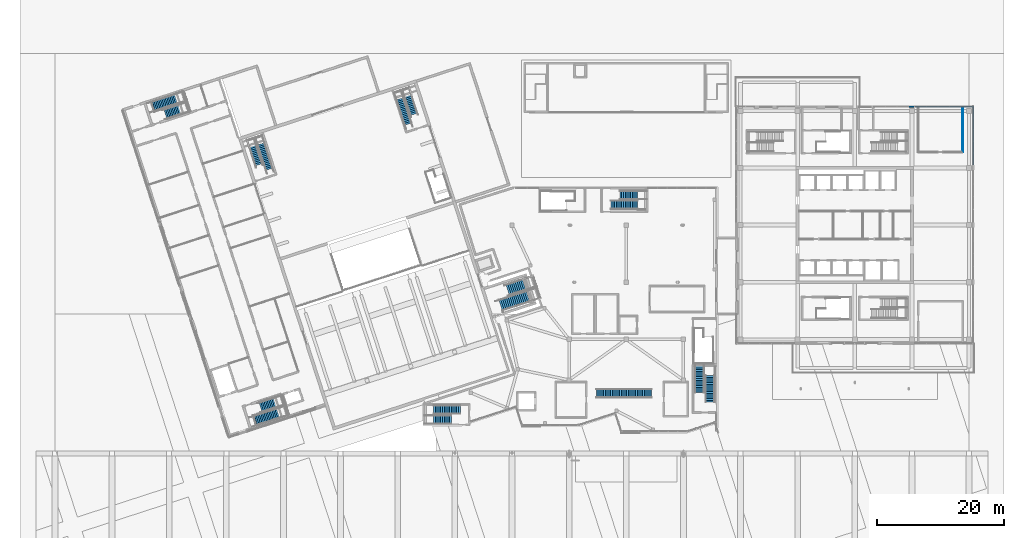
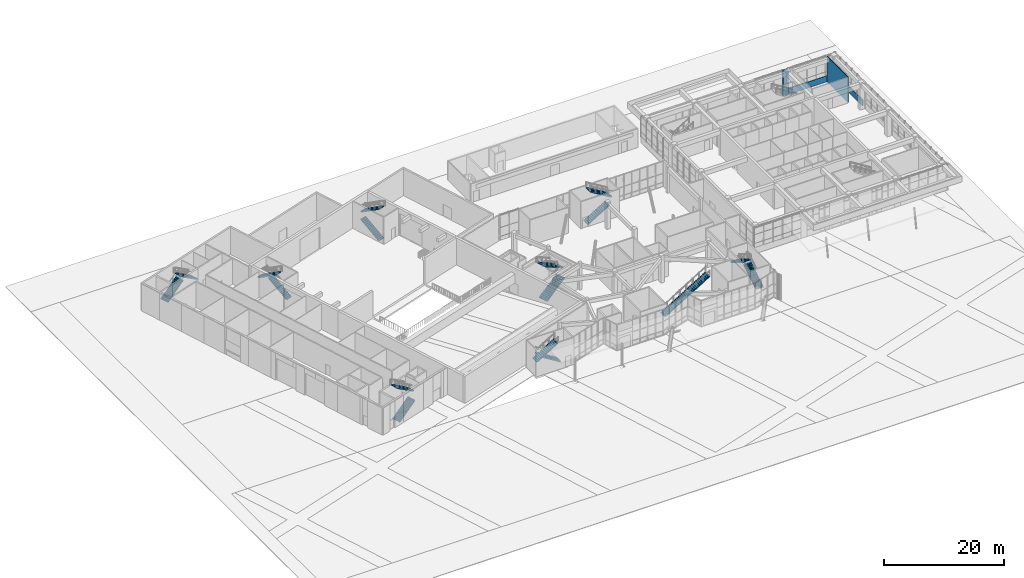
# One storey, part 59 of 72: 17 stair flights, 4 walls, 9 elements without a shape of their own.
"""IFC4 building model written with IfcOpenShell, lengths in metres."""

from ifc_helpers import new_model, si_unit, direction, frame, frame_2d, origin, place, context, subcontext, project, spatial, polyline, rectangle, outline, extrude, material, layer, layer_set, type_object, element, aggregate, save


model = new_model("IFC4")

# Units and contexts
model_context = context("Model", 3, precision=1e-05, world=origin(), true_north=direction((0.0, 1.0)))
body_context = subcontext(model_context, "Body", "Model", "MODEL_VIEW")
ifc_project = project(units=[si_unit("LENGTHUNIT", "METRE"), si_unit("AREAUNIT", "SQUARE_METRE"), si_unit("VOLUMEUNIT", "CUBIC_METRE"), si_unit("PLANEANGLEUNIT", "RADIAN"), si_unit("MASSUNIT", "GRAM", prefix="KILO")], contexts=[model_context])

# Site, building, storey
site_placement = place(None, origin())
site = spatial("IfcSite", under=ifc_project, at=site_placement, CompositionType="ELEMENT")
building_placement = place(site_placement, origin())
building = spatial("IfcBuilding", under=site, at=building_placement, Name="Tuart Plaza Theatre", CompositionType="ELEMENT")
storey_placement = place(building_placement, origin())
storey = spatial("IfcBuildingStorey", under=building, at=storey_placement, Name="L00", CompositionType="ELEMENT", Elevation=0.0)

# Walls
ifc_material_1 = material(Name="Plasterboard on steel stud", Category="steel")
ifc_layer_1 = layer(ifc_material_1, 0.14990234375)
ifc_layer_set_1 = layer_set([ifc_layer_1], Name="PARTITION STD150")
wall_type_1 = type_object("IfcWallType", Name="PARTITION STD150", PredefinedType="PARTITIONING", material=ifc_layer_set_1)
wall_1_placement = place(storey_placement, frame((149.0, 85.5, 0.0), z_axis=(0.0, 0.0, 1.0), x_axis=(0.0, 1.0, 0.0)))
element("IfcWall", 1, at=wall_1_placement, inside=storey, type_object=wall_type_1, Name="P581", PredefinedType="PARTITIONING", context=body_context, shape_type="SweptSolid", body=[
    extrude(rectangle(XDim=7.050048828125, YDim=0.14990234375, at=frame_2d((3.52490234375, 0.0))), origin(), (0.0, 0.0, 1.0), 5.25),
])
ifc_material_2 = material(Name="Steel panel", Category="steel")
ifc_layer_2 = layer(ifc_material_2, 0.199951171875)
ifc_layer_set_2 = layer_set([ifc_layer_2], Name="WALL CLD200 STEELPAN EXT base panel")
wall_type_2 = type_object("IfcWallType", Name="WALL CLD200 STEELPAN EXT base panel", PredefinedType="SOLIDWALL", material=ifc_layer_set_2)
wall_2_placement = place(storey_placement, frame((150.64990234375, 83.5, 0.0), z_axis=(0.0, 0.0, 1.0), x_axis=(0.0, 1.0, 0.0)))
element("IfcWall", 2, at=wall_2_placement, inside=storey, type_object=wall_type_2, Name="P99", PredefinedType="SOLIDWALL", context=body_context, shape_type="SweptSolid", body=[
    extrude(rectangle(XDim=9.25, YDim=0.199951171875, at=frame_2d((4.625, 0.0))), origin(), (0.0, 0.0, 1.0), 1.199951171875),
])
wall_3_placement = place(storey_placement, frame((150.550048828125, 92.64990234375, 0.0), z_axis=(0.0, 0.0, 1.0), x_axis=(-1.0, 0.0, 0.0)))
element("IfcWall", 3, at=wall_3_placement, inside=storey, type_object=wall_type_2, Name="P100", PredefinedType="SOLIDWALL", context=body_context, shape_type="SweptSolid", body=[
    extrude(rectangle(XDim=9.050048828125, YDim=0.199951171875, at=frame_2d((4.52490234375, 0.0))), origin(), (0.0, 0.0, 1.0), 1.199951171875),
])
wall_4_placement = place(storey_placement, frame((141.550048828125, 92.64990234375, 0.0), z_axis=(0.0, 0.0, 1.0), x_axis=(-1.0, 0.0, 0.0)))
element("IfcWall", 4, at=wall_4_placement, inside=storey, type_object=wall_type_2, Name="P101", PredefinedType="SOLIDWALL", context=body_context, shape_type="SweptSolid", body=[
    extrude(rectangle(XDim=1.10009765625, YDim=0.199951171875, at=frame_2d((0.550048828125, 0.0))), origin(), (0.0, 0.0, 1.0), 5.25),
])

# Stair, stair flights
ifc_material_3 = material(Name="Concrete N40 (40 MPa)", Category="concrete")
stair_type_1 = type_object("IfcStairType", Name="STAIR half turn 1600", PredefinedType="HALF_TURN_STAIR", material=ifc_material_3)
stair_1_placement = place(storey_placement, origin())
stair_1 = element("IfcStair", 5, at=stair_1_placement, inside=storey, type_object=stair_type_1, Name="SA-1", PredefinedType="HALF_TURN_STAIR")
ifc_material_4 = material(Name="Concrete N40 (40 MPa)", Category="concrete")
stair_flight_type_1 = type_object("IfcStairFlightType", Name="STAIR FLIGHT 171.9 260 1600", PredefinedType="STRAIGHT", material=ifc_material_4)
stair_flight_1_placement = place(storey_placement, frame((37.430419921875, 43.14697265625, 0.0), z_axis=(0.0, 0.0, 1.0), x_axis=(0.951056516295, 0.309016994375, 0.0)))
stair_flight_1 = element("IfcStairFlight", 6, at=stair_flight_1_placement, type_object=stair_flight_type_1, Name="SA-1 flight 1", NumberOfRisers=16, NumberOfTreads=15, PredefinedType="STRAIGHT", RiserHeight=0.171875, TreadLength=0.26, context=body_context, shape_type="SweptSolid", body=[
    extrude(outline(polyline([(0.0, 0.0), (0.0, 0.171875), (0.260009765625, 0.171875), (0.260009765625, 0.34375), (0.52001953125, 0.34375), (0.52001953125, 0.515625), (0.780029296875, 0.515625), (0.780029296875, 0.6875), (1.0400390625, 0.6875), (1.0400390625, 0.859375), (1.300048828125, 0.859375), (1.300048828125, 1.03125), (1.56005859375, 1.03125), (1.56005859375, 1.203125), (1.820068359375, 1.203125), (1.820068359375, 1.375), (2.080078125, 1.375), (2.080078125, 1.546875), (2.340087890625, 1.546875), (2.340087890625, 1.71875), (2.60009765625, 1.71875), (2.60009765625, 1.890625), (2.860107421875, 1.890625), (2.860107421875, 2.0625), (3.1201171875, 2.0625), (3.1201171875, 2.234375), (3.3798828125, 2.234375), (3.3798828125, 2.40625), (3.639892578125, 2.40625), (3.639892578125, 2.578125), (3.89990234375, 2.578125), (3.89990234375, 2.75), (3.89990234375, 2.3984375), (0.271728515625, 0.0), (0.0, 0.0)])), frame((0.0, 0.800048828125, 0.0), z_axis=(0.0, -1.0, 0.0), x_axis=(1.0, 0.0, 0.0)), (0.0, 0.0, 1.0), 1.60009765625),
])
stair_flight_2_placement = place(storey_placement, frame((42.120361328125, 46.5107421875, 2.75), z_axis=(0.0, 0.0, 1.0), x_axis=(-0.951056516295, -0.309016994375, 0.0)))
stair_flight_2 = element("IfcStairFlight", 7, at=stair_flight_2_placement, type_object=stair_flight_type_1, Name="SA-1 flight 2", NumberOfRisers=16, NumberOfTreads=15, PredefinedType="STRAIGHT", RiserHeight=0.171875, TreadLength=0.26, context=body_context, shape_type="SweptSolid", body=[
    extrude(outline(polyline([(0.0, 0.0), (0.0, 0.171875), (0.260009765625, 0.171875), (0.260009765625, 0.34375), (0.52001953125, 0.34375), (0.52001953125, 0.515625), (0.780029296875, 0.515625), (0.780029296875, 0.6875), (1.0400390625, 0.6875), (1.0400390625, 0.859375), (1.300048828125, 0.859375), (1.300048828125, 1.03125), (1.56005859375, 1.03125), (1.56005859375, 1.203125), (1.820068359375, 1.203125), (1.820068359375, 1.375), (2.080078125, 1.375), (2.080078125, 1.546875), (2.340087890625, 1.546875), (2.340087890625, 1.71875), (2.60009765625, 1.71875), (2.60009765625, 1.890625), (2.860107421875, 1.890625), (2.860107421875, 2.0625), (3.1201171875, 2.0625), (3.1201171875, 2.234375), (3.3798828125, 2.234375), (3.3798828125, 2.40625), (3.639892578125, 2.40625), (3.639892578125, 2.578125), (3.89990234375, 2.578125), (3.89990234375, 2.75), (3.89990234375, 2.3984375), (0.271728515625, 0.0), (0.0, 0.0)])), frame((0.0, 0.800048828125, 0.0), z_axis=(0.0, -1.0, 0.0), x_axis=(1.0, 0.0, 0.0)), (0.0, 0.0, 1.0), 1.60009765625),
])
aggregate(stair_1, [stair_flight_1, stair_flight_2])

stair_2_placement = place(storey_placement, origin())
stair_2 = element("IfcStair", 8, at=stair_2_placement, inside=storey, type_object=stair_type_1, Name="SA-2", PredefinedType="HALF_TURN_STAIR")
stair_flight_3_placement = place(storey_placement, frame((21.345947265625, 92.6494140625, 0.0), z_axis=(0.0, 0.0, 1.0), x_axis=(0.951056516295, 0.309016994375, 0.0)))
stair_flight_3 = element("IfcStairFlight", 9, at=stair_flight_3_placement, type_object=stair_flight_type_1, Name="SA-2 flight 1", NumberOfRisers=16, NumberOfTreads=15, PredefinedType="STRAIGHT", RiserHeight=0.171875, TreadLength=0.26, context=body_context, shape_type="SweptSolid", body=[
    extrude(outline(polyline([(0.0, 0.0), (0.0, 0.171875), (0.260009765625, 0.171875), (0.260009765625, 0.34375), (0.52001953125, 0.34375), (0.52001953125, 0.515625), (0.780029296875, 0.515625), (0.780029296875, 0.6875), (1.0400390625, 0.6875), (1.0400390625, 0.859375), (1.300048828125, 0.859375), (1.300048828125, 1.03125), (1.56005859375, 1.03125), (1.56005859375, 1.203125), (1.820068359375, 1.203125), (1.820068359375, 1.375), (2.080078125, 1.375), (2.080078125, 1.546875), (2.340087890625, 1.546875), (2.340087890625, 1.71875), (2.60009765625, 1.71875), (2.60009765625, 1.890625), (2.860107421875, 1.890625), (2.860107421875, 2.0625), (3.1201171875, 2.0625), (3.1201171875, 2.234375), (3.3798828125, 2.234375), (3.3798828125, 2.40625), (3.639892578125, 2.40625), (3.639892578125, 2.578125), (3.89990234375, 2.578125), (3.89990234375, 2.75), (3.89990234375, 2.3984375), (0.271728515625, 0.0), (0.0, 0.0)])), frame((0.0, 0.800048828125, 0.0), z_axis=(0.0, -1.0, 0.0), x_axis=(1.0, 0.0, 0.0)), (0.0, 0.0, 1.0), 1.60009765625),
])
stair_flight_4_placement = place(storey_placement, frame((27.11767578125, 92.6845703125, 2.75), z_axis=(0.0, 0.0, 1.0), x_axis=(-0.951056516295, -0.309016994375, 0.0)))
stair_flight_4 = element("IfcStairFlight", 10, at=stair_flight_4_placement, type_object=stair_flight_type_1, Name="SA-2 flight 2", NumberOfRisers=16, NumberOfTreads=15, PredefinedType="STRAIGHT", RiserHeight=0.171875, TreadLength=0.26, context=body_context, shape_type="SweptSolid", body=[
    extrude(outline(polyline([(0.0, 0.0), (0.0, 0.171875), (0.260009765625, 0.171875), (0.260009765625, 0.34375), (0.52001953125, 0.34375), (0.52001953125, 0.515625), (0.780029296875, 0.515625), (0.780029296875, 0.6875), (1.0400390625, 0.6875), (1.0400390625, 0.859375), (1.300048828125, 0.859375), (1.300048828125, 1.03125), (1.56005859375, 1.03125), (1.56005859375, 1.203125), (1.820068359375, 1.203125), (1.820068359375, 1.375), (2.080078125, 1.375), (2.080078125, 1.546875), (2.340087890625, 1.546875), (2.340087890625, 1.71875), (2.60009765625, 1.71875), (2.60009765625, 1.890625), (2.860107421875, 1.890625), (2.860107421875, 2.0625), (3.1201171875, 2.0625), (3.1201171875, 2.234375), (3.3798828125, 2.234375), (3.3798828125, 2.40625), (3.639892578125, 2.40625), (3.639892578125, 2.578125), (3.89990234375, 2.578125), (3.89990234375, 2.75), (3.89990234375, 2.3984375), (0.271728515625, 0.0), (0.0, 0.0)])), frame((0.0, 0.800048828125, 0.0), z_axis=(0.0, -1.0, 0.0), x_axis=(1.0, 0.0, 0.0)), (0.0, 0.0, 1.0), 1.60009765625),
])
aggregate(stair_2, [stair_flight_3, stair_flight_4])

ifc_material_5 = material(Name="Concrete N40 (40 MPa)", Category="concrete")
stair_type_2 = type_object("IfcStairType", Name="STAIR half turn 1200", PredefinedType="HALF_TURN_STAIR", material=ifc_material_5)
stair_3_placement = place(storey_placement, origin())
stair_3 = element("IfcStair", 11, at=stair_3_placement, inside=storey, type_object=stair_type_2, Name="SA-4", PredefinedType="HALF_TURN_STAIR")
ifc_material_6 = material(Name="Concrete N40 (40 MPa)", Category="concrete")
stair_flight_type_2 = type_object("IfcStairFlightType", Name="STAIR FLIGHT 171.9 280 1200", PredefinedType="STRAIGHT", material=ifc_material_6)
stair_flight_5_placement = place(storey_placement, frame((39.7744140625, 82.807373046875, 0.0), z_axis=(0.0, 0.0, 1.0), x_axis=(-0.309016994375, 0.951056516295, 0.0)))
stair_flight_5 = element("IfcStairFlight", 12, at=stair_flight_5_placement, type_object=stair_flight_type_2, Name="SA-4 flight 1", NumberOfRisers=16, NumberOfTreads=15, PredefinedType="STRAIGHT", RiserHeight=0.171875, TreadLength=0.28, context=body_context, shape_type="SweptSolid", body=[
    extrude(outline(polyline([(0.0, 0.0), (0.0, 0.171875), (0.280029296875, 0.171875), (0.280029296875, 0.34375), (0.56005859375, 0.34375), (0.56005859375, 0.515625), (0.840087890625, 0.515625), (0.840087890625, 0.6875), (1.1201171875, 0.6875), (1.1201171875, 0.859375), (1.39990234375, 0.859375), (1.39990234375, 1.03125), (1.679931640625, 1.03125), (1.679931640625, 1.203125), (1.9599609375, 1.203125), (1.9599609375, 1.375), (2.239990234375, 1.375), (2.239990234375, 1.546875), (2.52001953125, 1.546875), (2.52001953125, 1.71875), (2.800048828125, 1.71875), (2.800048828125, 1.890625), (3.080078125, 1.890625), (3.080078125, 2.0625), (3.360107421875, 2.0625), (3.360107421875, 2.234375), (3.639892578125, 2.234375), (3.639892578125, 2.40625), (3.919921875, 2.40625), (3.919921875, 2.578125), (4.199951171875, 2.578125), (4.199951171875, 2.75), (4.199951171875, 2.40234375), (0.28662109375, 0.0), (0.0, 0.0)])), frame((0.0, 0.60009765625, 0.0), z_axis=(0.0, -1.0, 0.0), x_axis=(1.0, 0.0, 0.0)), (0.0, 0.0, 1.0), 1.199951171875),
])
stair_flight_6_placement = place(storey_placement, frame((36.82177734375, 87.52587890625, 2.75), z_axis=(0.0, 0.0, 1.0), x_axis=(0.309016994375, -0.951056516295, 0.0)))
stair_flight_6 = element("IfcStairFlight", 13, at=stair_flight_6_placement, type_object=stair_flight_type_2, Name="SA-4 flight 2", NumberOfRisers=16, NumberOfTreads=15, PredefinedType="STRAIGHT", RiserHeight=0.171875, TreadLength=0.28, context=body_context, shape_type="SweptSolid", body=[
    extrude(outline(polyline([(0.0, 0.0), (0.0, 0.171875), (0.280029296875, 0.171875), (0.280029296875, 0.34375), (0.56005859375, 0.34375), (0.56005859375, 0.515625), (0.840087890625, 0.515625), (0.840087890625, 0.6875), (1.1201171875, 0.6875), (1.1201171875, 0.859375), (1.39990234375, 0.859375), (1.39990234375, 1.03125), (1.679931640625, 1.03125), (1.679931640625, 1.203125), (1.9599609375, 1.203125), (1.9599609375, 1.375), (2.239990234375, 1.375), (2.239990234375, 1.546875), (2.52001953125, 1.546875), (2.52001953125, 1.71875), (2.800048828125, 1.71875), (2.800048828125, 1.890625), (3.080078125, 1.890625), (3.080078125, 2.0625), (3.360107421875, 2.0625), (3.360107421875, 2.234375), (3.639892578125, 2.234375), (3.639892578125, 2.40625), (3.919921875, 2.40625), (3.919921875, 2.578125), (4.199951171875, 2.578125), (4.199951171875, 2.75), (4.199951171875, 2.40234375), (0.28662109375, 0.0), (0.0, 0.0)])), frame((0.0, 0.60009765625, 0.0), z_axis=(0.0, -1.0, 0.0), x_axis=(1.0, 0.0, 0.0)), (0.0, 0.0, 1.0), 1.199951171875),
])
aggregate(stair_3, [stair_flight_5, stair_flight_6])

stair_4_placement = place(storey_placement, origin())
stair_4 = element("IfcStair", 14, at=stair_4_placement, inside=storey, type_object=stair_type_2, Name="SA-5", PredefinedType="HALF_TURN_STAIR")
stair_flight_7_placement = place(storey_placement, frame((61.6533203125, 89.916259765625, 0.0), z_axis=(0.0, 0.0, 1.0), x_axis=(-0.309016994375, 0.951056516295, 0.0)))
stair_flight_7 = element("IfcStairFlight", 15, at=stair_flight_7_placement, type_object=stair_flight_type_2, Name="SA-5 flight 1", NumberOfRisers=16, NumberOfTreads=15, PredefinedType="STRAIGHT", RiserHeight=0.171875, TreadLength=0.28, context=body_context, shape_type="SweptSolid", body=[
    extrude(outline(polyline([(0.0, 0.0), (0.0, 0.171875), (0.280029296875, 0.171875), (0.280029296875, 0.34375), (0.56005859375, 0.34375), (0.56005859375, 0.515625), (0.840087890625, 0.515625), (0.840087890625, 0.6875), (1.1201171875, 0.6875), (1.1201171875, 0.859375), (1.39990234375, 0.859375), (1.39990234375, 1.03125), (1.679931640625, 1.03125), (1.679931640625, 1.203125), (1.9599609375, 1.203125), (1.9599609375, 1.375), (2.239990234375, 1.375), (2.239990234375, 1.546875), (2.52001953125, 1.546875), (2.52001953125, 1.71875), (2.800048828125, 1.71875), (2.800048828125, 1.890625), (3.080078125, 1.890625), (3.080078125, 2.0625), (3.360107421875, 2.0625), (3.360107421875, 2.234375), (3.639892578125, 2.234375), (3.639892578125, 2.40625), (3.919921875, 2.40625), (3.919921875, 2.578125), (4.199951171875, 2.578125), (4.199951171875, 2.75), (4.199951171875, 2.40234375), (0.28662109375, 0.0), (0.0, 0.0)])), frame((0.0, 0.60009765625, 0.0), z_axis=(0.0, -1.0, 0.0), x_axis=(1.0, 0.0, 0.0)), (0.0, 0.0, 1.0), 1.199951171875),
])
stair_flight_8_placement = place(storey_placement, frame((61.2685546875, 95.46923828125, 2.75), z_axis=(0.0, 0.0, 1.0), x_axis=(0.309016994375, -0.951056516295, 0.0)))
stair_flight_8 = element("IfcStairFlight", 16, at=stair_flight_8_placement, type_object=stair_flight_type_2, Name="SA-5 flight 2", NumberOfRisers=16, NumberOfTreads=15, PredefinedType="STRAIGHT", RiserHeight=0.171875, TreadLength=0.28, context=body_context, shape_type="SweptSolid", body=[
    extrude(outline(polyline([(0.0, 0.0), (0.0, 0.171875), (0.280029296875, 0.171875), (0.280029296875, 0.34375), (0.56005859375, 0.34375), (0.56005859375, 0.515625), (0.840087890625, 0.515625), (0.840087890625, 0.6875), (1.1201171875, 0.6875), (1.1201171875, 0.859375), (1.39990234375, 0.859375), (1.39990234375, 1.03125), (1.679931640625, 1.03125), (1.679931640625, 1.203125), (1.9599609375, 1.203125), (1.9599609375, 1.375), (2.239990234375, 1.375), (2.239990234375, 1.546875), (2.52001953125, 1.546875), (2.52001953125, 1.71875), (2.800048828125, 1.71875), (2.800048828125, 1.890625), (3.080078125, 1.890625), (3.080078125, 2.0625), (3.360107421875, 2.0625), (3.360107421875, 2.234375), (3.639892578125, 2.234375), (3.639892578125, 2.40625), (3.919921875, 2.40625), (3.919921875, 2.578125), (4.199951171875, 2.578125), (4.199951171875, 2.75), (4.199951171875, 2.40234375), (0.28662109375, 0.0), (0.0, 0.0)])), frame((0.0, 0.60009765625, 0.0), z_axis=(0.0, -1.0, 0.0), x_axis=(1.0, 0.0, 0.0)), (0.0, 0.0, 1.0), 1.199951171875),
])
aggregate(stair_4, [stair_flight_7, stair_flight_8])

ifc_material_7 = material(Name="Concrete N40 (40 MPa)", Category="concrete")
stair_type_3 = type_object("IfcStairType", Name="STAIR half turn 1400", PredefinedType="HALF_TURN_STAIR", material=ifc_material_7)
stair_5_placement = place(storey_placement, origin())
stair_5 = element("IfcStair", 17, at=stair_5_placement, inside=storey, type_object=stair_type_3, Name="SB-1", PredefinedType="HALF_TURN_STAIR")
ifc_material_8 = material(Name="Concrete N40 (40 MPa)", Category="concrete")
stair_flight_type_3 = type_object("IfcStairFlightType", Name="STAIR FLIGHT 171.9 280 1400", PredefinedType="STRAIGHT", material=ifc_material_8)
stair_flight_9_placement = place(storey_placement, frame((69.85009765625, 44.925048828125, 0.0), z_axis=(0.0, 0.0, 1.0), x_axis=(-1.0, 0.0, 0.0)))
stair_flight_9 = element("IfcStairFlight", 18, at=stair_flight_9_placement, type_object=stair_flight_type_3, Name="SB-1 flight 1", NumberOfRisers=16, NumberOfTreads=15, PredefinedType="STRAIGHT", RiserHeight=0.171875, TreadLength=0.28, context=body_context, shape_type="SweptSolid", body=[
    extrude(outline(polyline([(0.0, 0.0), (0.0, 0.171875), (0.280029296875, 0.171875), (0.280029296875, 0.34375), (0.56005859375, 0.34375), (0.56005859375, 0.515625), (0.840087890625, 0.515625), (0.840087890625, 0.6875), (1.1201171875, 0.6875), (1.1201171875, 0.859375), (1.39990234375, 0.859375), (1.39990234375, 1.03125), (1.679931640625, 1.03125), (1.679931640625, 1.203125), (1.9599609375, 1.203125), (1.9599609375, 1.375), (2.239990234375, 1.375), (2.239990234375, 1.546875), (2.52001953125, 1.546875), (2.52001953125, 1.71875), (2.800048828125, 1.71875), (2.800048828125, 1.890625), (3.080078125, 1.890625), (3.080078125, 2.0625), (3.360107421875, 2.0625), (3.360107421875, 2.234375), (3.639892578125, 2.234375), (3.639892578125, 2.40625), (3.919921875, 2.40625), (3.919921875, 2.578125), (4.199951171875, 2.578125), (4.199951171875, 2.75), (4.199951171875, 2.40234375), (0.28662109375, 0.0), (0.0, 0.0)])), frame((0.0, 0.699951171875, 0.0), z_axis=(0.0, -1.0, 0.0), x_axis=(1.0, 0.0, 0.0)), (0.0, 0.0, 1.0), 1.39990234375),
])
stair_flight_10_placement = place(storey_placement, frame((64.25, 43.375, 2.75), z_axis=(0.0, 0.0, 1.0), x_axis=(1.0, 0.0, 0.0)))
stair_flight_10 = element("IfcStairFlight", 19, at=stair_flight_10_placement, type_object=stair_flight_type_3, Name="SB-1 flight 2", NumberOfRisers=16, NumberOfTreads=15, PredefinedType="STRAIGHT", RiserHeight=0.171875, TreadLength=0.28, context=body_context, shape_type="SweptSolid", body=[
    extrude(outline(polyline([(0.0, 0.0), (0.0, 0.171875), (0.280029296875, 0.171875), (0.280029296875, 0.34375), (0.56005859375, 0.34375), (0.56005859375, 0.515625), (0.840087890625, 0.515625), (0.840087890625, 0.6875), (1.1201171875, 0.6875), (1.1201171875, 0.859375), (1.39990234375, 0.859375), (1.39990234375, 1.03125), (1.679931640625, 1.03125), (1.679931640625, 1.203125), (1.9599609375, 1.203125), (1.9599609375, 1.375), (2.239990234375, 1.375), (2.239990234375, 1.546875), (2.52001953125, 1.546875), (2.52001953125, 1.71875), (2.800048828125, 1.71875), (2.800048828125, 1.890625), (3.080078125, 1.890625), (3.080078125, 2.0625), (3.360107421875, 2.0625), (3.360107421875, 2.234375), (3.639892578125, 2.234375), (3.639892578125, 2.40625), (3.919921875, 2.40625), (3.919921875, 2.578125), (4.199951171875, 2.578125), (4.199951171875, 2.75), (4.199951171875, 2.40234375), (0.28662109375, 0.0), (0.0, 0.0)])), frame((0.0, 0.699951171875, 0.0), z_axis=(0.0, -1.0, 0.0), x_axis=(1.0, 0.0, 0.0)), (0.0, 0.0, 1.0), 1.39990234375),
])
aggregate(stair_5, [stair_flight_9, stair_flight_10])

stair_6_placement = place(storey_placement, origin())
stair_6 = element("IfcStair", 20, at=stair_6_placement, inside=storey, type_object=stair_type_3, Name="SB-4", PredefinedType="HALF_TURN_STAIR")
stair_flight_11_placement = place(storey_placement, frame((93.60009765625, 77.175048828125, 0.0), z_axis=(0.0, 0.0, 1.0), x_axis=(1.0, 0.0, 0.0)))
stair_flight_11 = element("IfcStairFlight", 21, at=stair_flight_11_placement, type_object=stair_flight_type_3, Name="SB-4 flight 1", NumberOfRisers=16, NumberOfTreads=15, PredefinedType="STRAIGHT", RiserHeight=0.171875, TreadLength=0.28, context=body_context, shape_type="SweptSolid", body=[
    extrude(outline(polyline([(0.0, 0.0), (0.0, 0.171875), (0.280029296875, 0.171875), (0.280029296875, 0.34375), (0.56005859375, 0.34375), (0.56005859375, 0.515625), (0.840087890625, 0.515625), (0.840087890625, 0.6875), (1.1201171875, 0.6875), (1.1201171875, 0.859375), (1.39990234375, 0.859375), (1.39990234375, 1.03125), (1.679931640625, 1.03125), (1.679931640625, 1.203125), (1.9599609375, 1.203125), (1.9599609375, 1.375), (2.239990234375, 1.375), (2.239990234375, 1.546875), (2.52001953125, 1.546875), (2.52001953125, 1.71875), (2.800048828125, 1.71875), (2.800048828125, 1.890625), (3.080078125, 1.890625), (3.080078125, 2.0625), (3.360107421875, 2.0625), (3.360107421875, 2.234375), (3.639892578125, 2.234375), (3.639892578125, 2.40625), (3.919921875, 2.40625), (3.919921875, 2.578125), (4.199951171875, 2.578125), (4.199951171875, 2.75), (4.199951171875, 2.40234375), (0.28662109375, 0.0), (0.0, 0.0)])), frame((0.0, 0.699951171875, 0.0), z_axis=(0.0, -1.0, 0.0), x_axis=(1.0, 0.0, 0.0)), (0.0, 0.0, 1.0), 1.39990234375),
])
stair_flight_12_placement = place(storey_placement, frame((99.199951171875, 78.72509765625, 2.75), z_axis=(0.0, 0.0, 1.0), x_axis=(-1.0, 0.0, 0.0)))
stair_flight_12 = element("IfcStairFlight", 22, at=stair_flight_12_placement, type_object=stair_flight_type_3, Name="SB-4 flight 2", NumberOfRisers=16, NumberOfTreads=15, PredefinedType="STRAIGHT", RiserHeight=0.171875, TreadLength=0.28, context=body_context, shape_type="SweptSolid", body=[
    extrude(outline(polyline([(0.0, 0.0), (0.0, 0.171875), (0.280029296875, 0.171875), (0.280029296875, 0.34375), (0.56005859375, 0.34375), (0.56005859375, 0.515625), (0.840087890625, 0.515625), (0.840087890625, 0.6875), (1.1201171875, 0.6875), (1.1201171875, 0.859375), (1.39990234375, 0.859375), (1.39990234375, 1.03125), (1.679931640625, 1.03125), (1.679931640625, 1.203125), (1.9599609375, 1.203125), (1.9599609375, 1.375), (2.239990234375, 1.375), (2.239990234375, 1.546875), (2.52001953125, 1.546875), (2.52001953125, 1.71875), (2.800048828125, 1.71875), (2.800048828125, 1.890625), (3.080078125, 1.890625), (3.080078125, 2.0625), (3.360107421875, 2.0625), (3.360107421875, 2.234375), (3.639892578125, 2.234375), (3.639892578125, 2.40625), (3.919921875, 2.40625), (3.919921875, 2.578125), (4.199951171875, 2.578125), (4.199951171875, 2.75), (4.199951171875, 2.40234375), (0.28662109375, 0.0), (0.0, 0.0)])), frame((0.0, 0.699951171875, 0.0), z_axis=(0.0, -1.0, 0.0), x_axis=(1.0, 0.0, 0.0)), (0.0, 0.0, 1.0), 1.39990234375),
])
aggregate(stair_6, [stair_flight_11, stair_flight_12])

# Stair, stair flight
ifc_material_9 = material(Name="Concrete N40 (40 MPa)", Category="concrete")
stair_type_4 = type_object("IfcStairType", Name="STAIR straight 1400", PredefinedType="STRAIGHT_RUN_STAIR", material=ifc_material_9)
stair_7_placement = place(storey_placement, origin())
stair_7 = element("IfcStair", 23, at=stair_7_placement, inside=storey, type_object=stair_type_4, Name="SB-15", PredefinedType="STRAIGHT_RUN_STAIR")
stair_flight_13_placement = place(storey_placement, frame((91.300048828125, 47.5, 0.0), z_axis=(0.0, 0.0, 1.0), x_axis=(1.0, 0.0, 0.0)))
stair_flight_13 = element("IfcStairFlight", 24, at=stair_flight_13_placement, type_object=stair_flight_type_3, Name="SB-15 flight 1", NumberOfRisers=32, NumberOfTreads=31, PredefinedType="STRAIGHT", RiserHeight=0.171875, TreadLength=0.28, context=body_context, shape_type="SweptSolid", body=[
    extrude(outline(polyline([(0.0, 0.0), (0.0, 0.171875), (0.280029296875, 0.171875), (0.280029296875, 0.34375), (0.56005859375, 0.34375), (0.56005859375, 0.515625), (0.840087890625, 0.515625), (0.840087890625, 0.6875), (1.1201171875, 0.6875), (1.1201171875, 0.859375), (1.39990234375, 0.859375), (1.39990234375, 1.03125), (1.679931640625, 1.03125), (1.679931640625, 1.203125), (1.9599609375, 1.203125), (1.9599609375, 1.375), (2.239990234375, 1.375), (2.239990234375, 1.546875), (2.52001953125, 1.546875), (2.52001953125, 1.71875), (2.800048828125, 1.71875), (2.800048828125, 1.890625), (3.080078125, 1.890625), (3.080078125, 2.0625), (3.360107421875, 2.0625), (3.360107421875, 2.234375), (3.639892578125, 2.234375), (3.639892578125, 2.40625), (3.919921875, 2.40625), (3.919921875, 2.578125), (4.199951171875, 2.578125), (4.199951171875, 2.75), (4.47998046875, 2.75), (4.47998046875, 2.921875), (4.760009765625, 2.921875), (4.760009765625, 3.09375), (5.0400390625, 3.09375), (5.0400390625, 3.265625), (5.320068359375, 3.265625), (5.320068359375, 3.4375), (5.60009765625, 3.4375), (5.60009765625, 3.609375), (5.8798828125, 3.609375), (5.8798828125, 3.78125), (6.159912109375, 3.78125), (6.159912109375, 3.953125), (6.43994140625, 3.953125), (6.43994140625, 4.125), (6.719970703125, 4.125), (6.719970703125, 4.296875), (7.0, 4.296875), (7.0, 4.46875), (7.280029296875, 4.46875), (7.280029296875, 4.640625), (7.56005859375, 4.640625), (7.56005859375, 4.8125), (7.840087890625, 4.8125), (7.840087890625, 4.984375), (8.1201171875, 4.984375), (8.1201171875, 5.15625), (8.39990234375, 5.15625), (8.39990234375, 5.328125), (8.679931640625, 5.328125), (8.679931640625, 5.5), (8.679931640625, 5.15234375), (0.28662109375, 0.0), (0.0, 0.0)])), frame((0.0, 0.699951171875, 0.0), z_axis=(0.0, -1.0, 0.0), x_axis=(1.0, 0.0, 0.0)), (0.0, 0.0, 1.0), 1.39990234375),
])
aggregate(stair_7, [stair_flight_13])

# Stair, stair flights
ifc_material_10 = material(Name="Concrete N40 (40 MPa)", Category="concrete")
stair_type_5 = type_object("IfcStairType", Name="STAIR half turn 1500", PredefinedType="HALF_TURN_STAIR", material=ifc_material_10)
stair_8_placement = place(storey_placement, origin())
stair_8 = element("IfcStair", 25, at=stair_8_placement, inside=storey, type_object=stair_type_5, Name="SB-7", PredefinedType="HALF_TURN_STAIR")
ifc_material_11 = material(Name="Concrete N40 (40 MPa)", Category="concrete")
stair_flight_type_4 = type_object("IfcStairFlightType", Name="STAIR FLIGHT 171.9 280 1500", PredefinedType="STRAIGHT", material=ifc_material_11)
stair_flight_14_placement = place(storey_placement, frame((109.205078125, 46.10009765625, 0.0), z_axis=(0.0, 0.0, 1.0), x_axis=(0.0, 1.0, 0.0)))
stair_flight_14 = element("IfcStairFlight", 26, at=stair_flight_14_placement, type_object=stair_flight_type_4, Name="SB-7 flight 1", NumberOfRisers=16, NumberOfTreads=15, PredefinedType="STRAIGHT", RiserHeight=0.171875, TreadLength=0.28, context=body_context, shape_type="SweptSolid", body=[
    extrude(outline(polyline([(0.0, 0.0), (0.0, 0.171875), (0.280029296875, 0.171875), (0.280029296875, 0.34375), (0.56005859375, 0.34375), (0.56005859375, 0.515625), (0.840087890625, 0.515625), (0.840087890625, 0.6875), (1.1201171875, 0.6875), (1.1201171875, 0.859375), (1.39990234375, 0.859375), (1.39990234375, 1.03125), (1.679931640625, 1.03125), (1.679931640625, 1.203125), (1.9599609375, 1.203125), (1.9599609375, 1.375), (2.239990234375, 1.375), (2.239990234375, 1.546875), (2.52001953125, 1.546875), (2.52001953125, 1.71875), (2.800048828125, 1.71875), (2.800048828125, 1.890625), (3.080078125, 1.890625), (3.080078125, 2.0625), (3.360107421875, 2.0625), (3.360107421875, 2.234375), (3.639892578125, 2.234375), (3.639892578125, 2.40625), (3.919921875, 2.40625), (3.919921875, 2.578125), (4.199951171875, 2.578125), (4.199951171875, 2.75), (4.199951171875, 2.40234375), (0.28662109375, 0.0), (0.0, 0.0)])), frame((0.0, 0.75, 0.0), z_axis=(0.0, -1.0, 0.0), x_axis=(1.0, 0.0, 0.0)), (0.0, 0.0, 1.0), 1.5),
])
stair_flight_15_placement = place(storey_placement, frame((107.554931640625, 51.800048828125, 2.75), z_axis=(0.0, 0.0, 1.0), x_axis=(0.0, -1.0, 0.0)))
stair_flight_15 = element("IfcStairFlight", 27, at=stair_flight_15_placement, type_object=stair_flight_type_4, Name="SB-7 flight 2", NumberOfRisers=16, NumberOfTreads=15, PredefinedType="STRAIGHT", RiserHeight=0.171875, TreadLength=0.28, context=body_context, shape_type="SweptSolid", body=[
    extrude(outline(polyline([(0.0, 0.0), (0.0, 0.171875), (0.280029296875, 0.171875), (0.280029296875, 0.34375), (0.56005859375, 0.34375), (0.56005859375, 0.515625), (0.840087890625, 0.515625), (0.840087890625, 0.6875), (1.1201171875, 0.6875), (1.1201171875, 0.859375), (1.39990234375, 0.859375), (1.39990234375, 1.03125), (1.679931640625, 1.03125), (1.679931640625, 1.203125), (1.9599609375, 1.203125), (1.9599609375, 1.375), (2.239990234375, 1.375), (2.239990234375, 1.546875), (2.52001953125, 1.546875), (2.52001953125, 1.71875), (2.800048828125, 1.71875), (2.800048828125, 1.890625), (3.080078125, 1.890625), (3.080078125, 2.0625), (3.360107421875, 2.0625), (3.360107421875, 2.234375), (3.639892578125, 2.234375), (3.639892578125, 2.40625), (3.919921875, 2.40625), (3.919921875, 2.578125), (4.199951171875, 2.578125), (4.199951171875, 2.75), (4.199951171875, 2.40234375), (0.28662109375, 0.0), (0.0, 0.0)])), frame((0.0, 0.75, 0.0), z_axis=(0.0, -1.0, 0.0), x_axis=(1.0, 0.0, 0.0)), (0.0, 0.0, 1.0), 1.5),
])
aggregate(stair_8, [stair_flight_14, stair_flight_15])

ifc_material_12 = material(Name="Concrete N40 (40 MPa)", Category="concrete")
stair_type_6 = type_object("IfcStairType", Name="STAIR half turn 1800", PredefinedType="HALF_TURN_STAIR", material=ifc_material_12)
stair_9_placement = place(storey_placement, origin())
stair_9 = element("IfcStair", 28, at=stair_9_placement, inside=storey, type_object=stair_type_6, Name="SA-3", PredefinedType="HALF_TURN_STAIR")
ifc_material_13 = material(Name="Concrete N40 (40 MPa)", Category="concrete")
stair_flight_type_5 = type_object("IfcStairFlightType", Name="STAIR FLIGHT 171.9 300 1800", PredefinedType="STRAIGHT", material=ifc_material_13)
stair_flight_16_placement = place(storey_placement, frame((76.220703125, 61.3759765625, 0.0), z_axis=(0.0, 0.0, 1.0), x_axis=(0.951056516295, 0.309016994375, 0.0)))
stair_flight_16 = element("IfcStairFlight", 29, at=stair_flight_16_placement, type_object=stair_flight_type_5, Name="SA-3 flight 1", NumberOfRisers=16, NumberOfTreads=15, PredefinedType="STRAIGHT", RiserHeight=0.171875, TreadLength=0.3, context=body_context, shape_type="SweptSolid", body=[
    extrude(outline(polyline([(0.0, 0.0), (0.0, 0.171875), (0.300048828125, 0.171875), (0.300048828125, 0.34375), (0.60009765625, 0.34375), (0.60009765625, 0.515625), (0.89990234375, 0.515625), (0.89990234375, 0.6875), (1.199951171875, 0.6875), (1.199951171875, 0.859375), (1.5, 0.859375), (1.5, 1.03125), (1.800048828125, 1.03125), (1.800048828125, 1.203125), (2.10009765625, 1.203125), (2.10009765625, 1.375), (2.39990234375, 1.375), (2.39990234375, 1.546875), (2.699951171875, 1.546875), (2.699951171875, 1.71875), (3.0, 1.71875), (3.0, 1.890625), (3.300048828125, 1.890625), (3.300048828125, 2.0625), (3.60009765625, 2.0625), (3.60009765625, 2.234375), (3.89990234375, 2.234375), (3.89990234375, 2.40625), (4.199951171875, 2.40625), (4.199951171875, 2.578125), (4.5, 2.578125), (4.5, 2.75), (4.5, 2.4052734375), (0.301513671875, 0.0), (0.0, 0.0)])), frame((0.0, 0.89990234375, 0.0), z_axis=(0.0, -1.0, 0.0), x_axis=(1.0, 0.0, 0.0)), (0.0, 0.0, 1.0), 1.800048828125),
])
stair_flight_17_placement = place(storey_placement, frame((81.60986328125, 65.177490234375, 2.75), z_axis=(0.0, 0.0, 1.0), x_axis=(-0.951056516295, -0.309016994375, 0.0)))
stair_flight_17 = element("IfcStairFlight", 30, at=stair_flight_17_placement, type_object=stair_flight_type_5, Name="SA-3 flight 2", NumberOfRisers=16, NumberOfTreads=15, PredefinedType="STRAIGHT", RiserHeight=0.171875, TreadLength=0.3, context=body_context, shape_type="SweptSolid", body=[
    extrude(outline(polyline([(0.0, 0.0), (0.0, 0.171875), (0.300048828125, 0.171875), (0.300048828125, 0.34375), (0.60009765625, 0.34375), (0.60009765625, 0.515625), (0.89990234375, 0.515625), (0.89990234375, 0.6875), (1.199951171875, 0.6875), (1.199951171875, 0.859375), (1.5, 0.859375), (1.5, 1.03125), (1.800048828125, 1.03125), (1.800048828125, 1.203125), (2.10009765625, 1.203125), (2.10009765625, 1.375), (2.39990234375, 1.375), (2.39990234375, 1.546875), (2.699951171875, 1.546875), (2.699951171875, 1.71875), (3.0, 1.71875), (3.0, 1.890625), (3.300048828125, 1.890625), (3.300048828125, 2.0625), (3.60009765625, 2.0625), (3.60009765625, 2.234375), (3.89990234375, 2.234375), (3.89990234375, 2.40625), (4.199951171875, 2.40625), (4.199951171875, 2.578125), (4.5, 2.578125), (4.5, 2.75), (4.5, 2.4052734375), (0.301513671875, 0.0), (0.0, 0.0)])), frame((0.0, 0.89990234375, 0.0), z_axis=(0.0, -1.0, 0.0), x_axis=(1.0, 0.0, 0.0)), (0.0, 0.0, 1.0), 1.800048828125),
])
aggregate(stair_9, [stair_flight_16, stair_flight_17])

save(model, "model.ifc")
